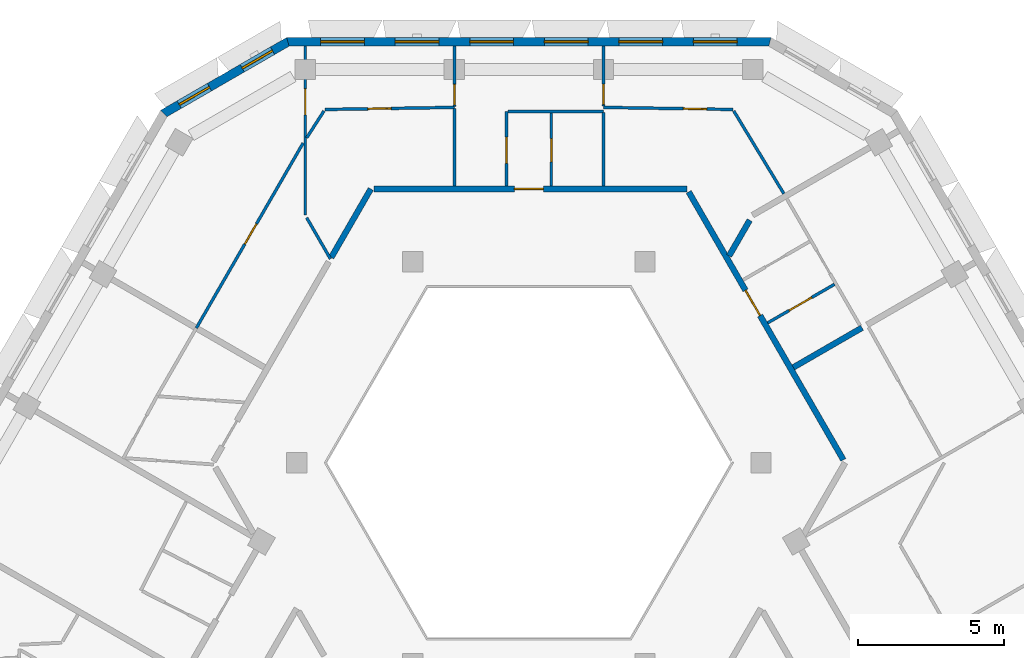
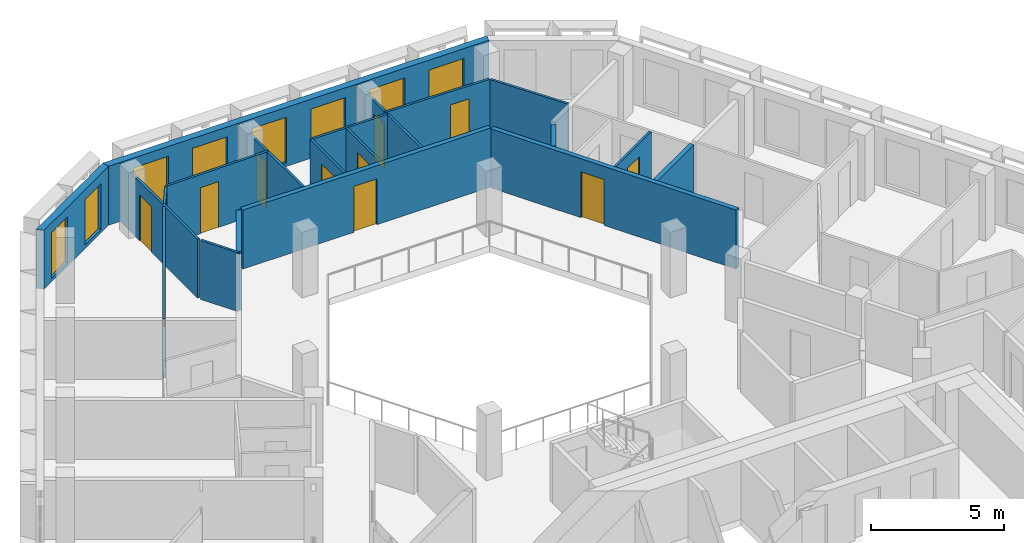
# One storey, part 8 of 16: 22 walls, 11 doors, 8 windows, 19 openings.
"""IFC4 building model written with IfcOpenShell, lengths in metres."""

from ifc_helpers import new_model, si_unit, direction, frame, frame_2d, origin, place, context, subcontext, project, spatial, polyline, rectangle, outline, extrude, material, layer, layer_set, type_object, element, fill, save


model = new_model("IFC4")

# Units and contexts
model_context = context("Model", 3, precision=1e-05, world=origin(), true_north=direction((0.0, 1.0)))
body_context = subcontext(model_context, "Body", "Model", "MODEL_VIEW")
ifc_project = project(units=[si_unit("LENGTHUNIT", "METRE"), si_unit("AREAUNIT", "SQUARE_METRE"), si_unit("VOLUMEUNIT", "CUBIC_METRE"), si_unit("PLANEANGLEUNIT", "RADIAN"), si_unit("MASSUNIT", "GRAM", prefix="KILO")], contexts=[model_context])

# Site, building, storey
site_placement = place(None, origin())
site = spatial("IfcSite", under=ifc_project, at=site_placement, CompositionType="ELEMENT")
building_placement = place(site_placement, origin())
building = spatial("IfcBuilding", under=site, at=building_placement, Name="Beryl Residences", CompositionType="ELEMENT")
storey_placement = place(building_placement, frame((0.0, 0.0, 208.800048828125)))
storey = spatial("IfcBuildingStorey", under=building, at=storey_placement, Name="L64", CompositionType="ELEMENT", Elevation=208.800048828125)

# Wall, openings, windows
ifc_material_1 = material(Name="Composite metal panel with mineral wool insulation")
ifc_layer_1 = layer(ifc_material_1, 0.300048828125)
ifc_layer_set_1 = layer_set([ifc_layer_1], Name="ES1 pale metal composite panel wall 300 mm")
wall_type_1 = type_object("IfcWallType", Name="ES1 pale metal composite panel wall 300 mm", PredefinedType="SOLIDWALL", material=ifc_layer_set_1)
wall_1_placement = place(storey_placement, frame((8.31396484375, 22.449951171875, 0.0), z_axis=(0.0, 0.0, 1.0), x_axis=(-1.0, 0.0, 0.0)))
wall_1 = element("IfcWall", 1, at=wall_1_placement, inside=storey, type_object=wall_type_1, Name="ES1 external wall L64 N", PredefinedType="SOLIDWALL", context=body_context, shape_type="SweptSolid", body=[
    extrude(outline(polyline([(0.0, -0.14990234375), (16.6279296875, -0.14990234375), (16.547607421875, 0.14990234375), (0.080322265625, 0.14990234375), (0.0, -0.14990234375)])), origin(), (0.0, 0.0, 1.0), 2.699951171875),
])
opening_1_placement = place(wall_1_placement, frame((1.1650390625, 0.0, 0.14990234375)))
opening_1 = element("IfcOpeningElement", 2, at=opening_1_placement, cuts=wall_1, Name="Opening W1", PredefinedType="OPENING", context=body_context, shape_type="SweptSolid", body=[
    extrude(rectangle(XDim=1.5, YDim=2.10009765625, at=frame_2d((0.75, 1.050048828125))), frame((0.0, 0.159912109375, 0.0), z_axis=(0.0, -1.0, 0.0), x_axis=(1.0, 0.0, 0.0)), (0.0, 0.0, 1.0), 0.320068359375),
])
opening_2_placement = place(wall_1_placement, frame((3.72412109375, 0.0, 0.14990234375)))
opening_2 = element("IfcOpeningElement", 3, at=opening_2_placement, cuts=wall_1, Name="Opening W1", PredefinedType="OPENING", context=body_context, shape_type="SweptSolid", body=[
    extrude(rectangle(XDim=1.5, YDim=2.10009765625, at=frame_2d((0.75, 1.050048828125))), frame((0.0, 0.159912109375, 0.0), z_axis=(0.0, -1.0, 0.0), x_axis=(1.0, 0.0, 0.0)), (0.0, 0.0, 1.0), 0.320068359375),
])
opening_3_placement = place(wall_1_placement, frame((6.283935546875, 0.0, 0.14990234375)))
opening_3 = element("IfcOpeningElement", 4, at=opening_3_placement, cuts=wall_1, Name="Opening W1", PredefinedType="OPENING", context=body_context, shape_type="SweptSolid", body=[
    extrude(rectangle(XDim=1.5, YDim=2.10009765625, at=frame_2d((0.75, 1.050048828125))), frame((0.0, 0.159912109375, 0.0), z_axis=(0.0, -1.0, 0.0), x_axis=(1.0, 0.0, 0.0)), (0.0, 0.0, 1.0), 0.320068359375),
])
opening_4_placement = place(wall_1_placement, frame((8.843017578125, 0.0, 0.14990234375)))
opening_4 = element("IfcOpeningElement", 5, at=opening_4_placement, cuts=wall_1, Name="Opening W1", PredefinedType="OPENING", context=body_context, shape_type="SweptSolid", body=[
    extrude(rectangle(XDim=1.5, YDim=2.10009765625, at=frame_2d((0.75, 1.050048828125))), frame((0.0, 0.159912109375, 0.0), z_axis=(0.0, -1.0, 0.0), x_axis=(1.0, 0.0, 0.0)), (0.0, 0.0, 1.0), 0.320068359375),
])
opening_5_placement = place(wall_1_placement, frame((11.403076171875, 0.0, 0.14990234375)))
opening_5 = element("IfcOpeningElement", 6, at=opening_5_placement, cuts=wall_1, Name="Opening W1", PredefinedType="OPENING", context=body_context, shape_type="SweptSolid", body=[
    extrude(rectangle(XDim=1.5, YDim=2.10009765625, at=frame_2d((0.75, 1.050048828125))), frame((0.0, 0.159912109375, 0.0), z_axis=(0.0, -1.0, 0.0), x_axis=(1.0, 0.0, 0.0)), (0.0, 0.0, 1.0), 0.320068359375),
])
opening_6_placement = place(wall_1_placement, frame((13.9619140625, 0.0, 0.14990234375)))
opening_6 = element("IfcOpeningElement", 7, at=opening_6_placement, cuts=wall_1, Name="Opening W1", PredefinedType="OPENING", context=body_context, shape_type="SweptSolid", body=[
    extrude(rectangle(XDim=1.5, YDim=2.10009765625, at=frame_2d((0.75, 1.050048828125))), frame((0.0, 0.159912109375, 0.0), z_axis=(0.0, -1.0, 0.0), x_axis=(1.0, 0.0, 0.0)), (0.0, 0.0, 1.0), 0.320068359375),
])
ifc_material_2 = material(Name="Aluminium and clear glass", Category="aluminium")
window_type_1 = type_object("IfcWindowType", Name="W1 cell window 1500 x 2100 mm", PartitioningType="SINGLE_PANEL", PredefinedType="WINDOW", material=ifc_material_2)
window_1_placement = place(opening_1_placement, origin())
window_1 = element("IfcWindow", 8, at=window_1_placement, inside=storey, type_object=window_type_1, Name="W1 window L64 N 1", OverallHeight=2.10009765625, OverallWidth=1.5, PartitioningType="SINGLE_PANEL", PredefinedType="WINDOW", context=body_context, shape_type="SweptSolid", body=[
    extrude(rectangle(XDim=1.5, YDim=2.10009765625, at=frame_2d((0.75, 1.050048828125))), frame((0.0, 0.030029296875, 0.0), z_axis=(0.0, -1.0, 0.0), x_axis=(1.0, 0.0, 0.0)), (0.0, 0.0, 1.0), 0.06005859375),
])
fill(opening_1, window_1)
window_2_placement = place(opening_2_placement, origin())
window_2 = element("IfcWindow", 9, at=window_2_placement, inside=storey, type_object=window_type_1, Name="W1 window L64 N 2", OverallHeight=2.10009765625, OverallWidth=1.5, PartitioningType="SINGLE_PANEL", PredefinedType="WINDOW", context=body_context, shape_type="SweptSolid", body=[
    extrude(rectangle(XDim=1.5, YDim=2.10009765625, at=frame_2d((0.75, 1.050048828125))), frame((0.0, 0.030029296875, 0.0), z_axis=(0.0, -1.0, 0.0), x_axis=(1.0, 0.0, 0.0)), (0.0, 0.0, 1.0), 0.06005859375),
])
fill(opening_2, window_2)
window_3_placement = place(opening_3_placement, origin())
window_3 = element("IfcWindow", 10, at=window_3_placement, inside=storey, type_object=window_type_1, Name="W1 window L64 N 3", OverallHeight=2.10009765625, OverallWidth=1.5, PartitioningType="SINGLE_PANEL", PredefinedType="WINDOW", context=body_context, shape_type="SweptSolid", body=[
    extrude(rectangle(XDim=1.5, YDim=2.10009765625, at=frame_2d((0.75, 1.050048828125))), frame((0.0, 0.030029296875, 0.0), z_axis=(0.0, -1.0, 0.0), x_axis=(1.0, 0.0, 0.0)), (0.0, 0.0, 1.0), 0.06005859375),
])
fill(opening_3, window_3)
window_4_placement = place(opening_4_placement, origin())
window_4 = element("IfcWindow", 11, at=window_4_placement, inside=storey, type_object=window_type_1, Name="W1 window L64 N 4", OverallHeight=2.10009765625, OverallWidth=1.5, PartitioningType="SINGLE_PANEL", PredefinedType="WINDOW", context=body_context, shape_type="SweptSolid", body=[
    extrude(rectangle(XDim=1.5, YDim=2.10009765625, at=frame_2d((0.75, 1.050048828125))), frame((0.0, 0.030029296875, 0.0), z_axis=(0.0, -1.0, 0.0), x_axis=(1.0, 0.0, 0.0)), (0.0, 0.0, 1.0), 0.06005859375),
])
fill(opening_4, window_4)
window_5_placement = place(opening_5_placement, origin())
window_5 = element("IfcWindow", 12, at=window_5_placement, inside=storey, type_object=window_type_1, Name="W1 window L64 N 5", OverallHeight=2.10009765625, OverallWidth=1.5, PartitioningType="SINGLE_PANEL", PredefinedType="WINDOW", context=body_context, shape_type="SweptSolid", body=[
    extrude(rectangle(XDim=1.5, YDim=2.10009765625, at=frame_2d((0.75, 1.050048828125))), frame((0.0, 0.030029296875, 0.0), z_axis=(0.0, -1.0, 0.0), x_axis=(1.0, 0.0, 0.0)), (0.0, 0.0, 1.0), 0.06005859375),
])
fill(opening_5, window_5)
window_6_placement = place(opening_6_placement, origin())
window_6 = element("IfcWindow", 13, at=window_6_placement, inside=storey, type_object=window_type_1, Name="W1 window L64 N 6", OverallHeight=2.10009765625, OverallWidth=1.5, PartitioningType="SINGLE_PANEL", PredefinedType="WINDOW", context=body_context, shape_type="SweptSolid", body=[
    extrude(rectangle(XDim=1.5, YDim=2.10009765625, at=frame_2d((0.75, 1.050048828125))), frame((0.0, 0.030029296875, 0.0), z_axis=(0.0, -1.0, 0.0), x_axis=(1.0, 0.0, 0.0)), (0.0, 0.0, 1.0), 0.06005859375),
])
fill(opening_6, window_6)

wall_2_placement = place(storey_placement, frame((-8.239013671875, 22.469970703125, 0.0), z_axis=(0.0, 0.0, 1.0), x_axis=(-0.866022959057, -0.500004234368, 0.0)))
wall_2 = element("IfcWall", 14, at=wall_2_placement, inside=storey, type_object=wall_type_1, Name="ES1 external wall L64 N-NW", PredefinedType="SOLIDWALL", context=body_context, shape_type="SweptSolid", body=[
    extrude(outline(polyline([(0.0, -0.14990234375), (5.0, -0.14990234375), (4.919677734375, 0.14990234375), (0.080322265625, 0.14990234375), (0.0, -0.14990234375)])), origin(), (0.0, 0.0, 1.0), 2.699951171875),
])
opening_7_placement = place(wall_2_placement, frame((0.64990234375, 0.0, 0.14990234375)))
opening_7 = element("IfcOpeningElement", 15, at=opening_7_placement, cuts=wall_2, Name="Opening W2", PredefinedType="OPENING", context=body_context, shape_type="SweptSolid", body=[
    extrude(rectangle(XDim=1.199951171875, YDim=2.10009765625, at=frame_2d((0.60009765625, 1.050048828125))), frame((0.0, 0.159912109375, 0.0), z_axis=(0.0, -1.0, 0.0), x_axis=(1.0, 0.0, 0.0)), (0.0, 0.0, 1.0), 0.320068359375),
])
opening_8_placement = place(wall_2_placement, frame((3.14892578125, 0.0, 0.14990234375)))
opening_8 = element("IfcOpeningElement", 16, at=opening_8_placement, cuts=wall_2, Name="Opening W2", PredefinedType="OPENING", context=body_context, shape_type="SweptSolid", body=[
    extrude(rectangle(XDim=1.199951171875, YDim=2.10009765625, at=frame_2d((0.60009765625, 1.050048828125))), frame((0.0, 0.159912109375, 0.0), z_axis=(0.0, -1.0, 0.0), x_axis=(1.0, 0.0, 0.0)), (0.0, 0.0, 1.0), 0.320068359375),
])
ifc_material_3 = material(Name="Aluminium and clear glass", Category="aluminium")
window_type_2 = type_object("IfcWindowType", Name="W2 chamfer window 1200 x 2100 mm", PartitioningType="SINGLE_PANEL", PredefinedType="WINDOW", material=ifc_material_3)
window_7_placement = place(opening_7_placement, origin())
window_7 = element("IfcWindow", 17, at=window_7_placement, inside=storey, type_object=window_type_2, Name="W2 window L64 N-NW 1", OverallHeight=2.10009765625, OverallWidth=1.199951171875, PartitioningType="SINGLE_PANEL", PredefinedType="WINDOW", context=body_context, shape_type="SweptSolid", body=[
    extrude(rectangle(XDim=1.199951171875, YDim=2.10009765625, at=frame_2d((0.60009765625, 1.050048828125))), frame((0.0, 0.030029296875, 0.0), z_axis=(0.0, -1.0, 0.0), x_axis=(1.0, 0.0, 0.0)), (0.0, 0.0, 1.0), 0.06005859375),
])
fill(opening_7, window_7)
window_8_placement = place(opening_8_placement, origin())
window_8 = element("IfcWindow", 18, at=window_8_placement, inside=storey, type_object=window_type_2, Name="W2 window L64 N-NW 2", OverallHeight=2.10009765625, OverallWidth=1.199951171875, PartitioningType="SINGLE_PANEL", PredefinedType="WINDOW", context=body_context, shape_type="SweptSolid", body=[
    extrude(rectangle(XDim=1.199951171875, YDim=2.10009765625, at=frame_2d((0.60009765625, 1.050048828125))), frame((0.0, 0.030029296875, 0.0), z_axis=(0.0, -1.0, 0.0), x_axis=(1.0, 0.0, 0.0)), (0.0, 0.0, 1.0), 0.06005859375),
])
fill(opening_8, window_8)

# Walls
ifc_material_4 = material(Name="Gypsum board partition on steel studs", Category="steel")
ifc_layer_2 = layer(ifc_material_4, 0.10009765625)
ifc_layer_set_2 = layer_set([ifc_layer_2], Name="PT1 partition 100 mm gypsum board on steel studs")
wall_type_2 = type_object("IfcWallType", Name="PT1 partition 100 mm gypsum board on steel studs", PredefinedType="PARTITIONING", material=ifc_layer_set_2)
wall_3_placement = place(storey_placement, frame((7.032958984375, 20.076904296875, 0.0), z_axis=(0.0, 0.0, 1.0), x_axis=(0.517918779664, -0.855429797044, 0.0)))
element("IfcWall", 19, at=wall_3_placement, inside=storey, type_object=wall_type_2, Name="Wall PT1 L64 003", PredefinedType="PARTITIONING", context=body_context, shape_type="SweptSolid", body=[
    extrude(rectangle(XDim=3.321044921875, YDim=0.10009765625, at=frame_2d((1.66064453125, 0.0))), origin(), (0.0, 0.0, 1.0), 2.699951171875),
])
wall_4_placement = place(storey_placement, frame((-7.6279296875, 16.412109375, 0.0), z_axis=(0.0, 0.0, 1.0), x_axis=(0.499843439945, -0.866115774908, 0.0)))
element("IfcWall", 20, at=wall_4_placement, inside=storey, type_object=wall_type_2, Name="Wall PT1 L64 005", PredefinedType="PARTITIONING", context=body_context, shape_type="SweptSolid", body=[
    extrude(rectangle(XDim=1.63037109375, YDim=0.10009765625, at=frame_2d((0.815185546875, 0.0))), origin(), (0.0, 0.0, 1.0), 2.699951171875),
])
wall_5_placement = place(storey_placement, frame((-2.55908203125, 20.169921875, 0.0), z_axis=(0.0, 0.0, 1.0), x_axis=(0.0, -1.0, 0.0)))
element("IfcWall", 21, at=wall_5_placement, inside=storey, type_object=wall_type_2, Name="Wall PT1 L64 010", PredefinedType="PARTITIONING", context=body_context, shape_type="SweptSolid", body=[
    extrude(rectangle(XDim=2.669921875, YDim=0.10009765625, at=frame_2d((1.3349609375, 0.0))), origin(), (0.0, 0.0, 1.0), 2.699951171875),
])

# Wall, opening, door
wall_6_placement = place(storey_placement, frame((2.56005859375, 22.300048828125, 0.0), z_axis=(0.0, 0.0, 1.0), x_axis=(0.0, -1.0, 0.0)))
wall_6 = element("IfcWall", 22, at=wall_6_placement, inside=storey, type_object=wall_type_2, Name="Wall PT1 L64 011", PredefinedType="PARTITIONING", context=body_context, shape_type="SweptSolid", body=[
    extrude(rectangle(XDim=2.050048828125, YDim=0.10009765625, at=frame_2d((1.02490234375, 0.0))), origin(), (0.0, 0.0, 1.0), 2.699951171875),
])
opening_9_placement = place(wall_6_placement, frame((1.300048828125, 0.0, 0.0)))
opening_9 = element("IfcOpeningElement", 23, at=opening_9_placement, cuts=wall_6, Name="Opening D1805", PredefinedType="OPENING", context=body_context, shape_type="SweptSolid", body=[
    extrude(rectangle(XDim=0.699951171875, YDim=2.10009765625, at=frame_2d((0.35009765625, 1.050048828125))), frame((0.0, 0.06005859375, 0.0), z_axis=(0.0, -1.0, 0.0), x_axis=(1.0, 0.0, 0.0)), (0.0, 0.0, 1.0), 0.1201171875),
])
ifc_material_5 = material(Name="Timber door leaf", Category="wood")
door_type_1 = type_object("IfcDoorType", Name="D14 room door 700 x 2100 mm", OperationType="SINGLE_SWING_LEFT", PredefinedType="DOOR", material=ifc_material_5)
door_1_placement = place(opening_9_placement, origin())
door_1 = element("IfcDoor", 24, at=door_1_placement, inside=storey, type_object=door_type_1, Name="Door D1805 L64 001", OperationType="SINGLE_SWING_LEFT", OverallHeight=2.10009765625, OverallWidth=0.699951171875, PredefinedType="DOOR", context=body_context, shape_type="SweptSolid", body=[
    extrude(rectangle(XDim=0.699951171875, YDim=2.10009765625, at=frame_2d((0.35009765625, 1.050048828125))), frame((0.0, 0.02490234375, 0.0), z_axis=(0.0, -1.0, 0.0), x_axis=(1.0, 0.0, 0.0)), (0.0, 0.0, 1.0), 0.050048828125),
])
fill(opening_9, door_1)

# Wall
wall_7_placement = place(storey_placement, frame((2.56005859375, 20.030029296875, 0.0), z_axis=(0.0, 0.0, 1.0), x_axis=(0.0, -1.0, 0.0)))
element("IfcWall", 25, at=wall_7_placement, inside=storey, type_object=wall_type_2, Name="Wall PT1 L64 012", PredefinedType="PARTITIONING", context=body_context, shape_type="SweptSolid", body=[
    extrude(rectangle(XDim=2.530029296875, YDim=0.10009765625, at=frame_2d((1.26513671875, 0.0))), origin(), (0.0, 0.0, 1.0), 2.699951171875),
])

# Wall, opening, door
wall_8_placement = place(storey_placement, frame((2.56005859375, 20.199951171875, 0.0), z_axis=(0.0, 0.0, 1.0), x_axis=(0.999868576801, -0.016212005615, 0.0)))
wall_8 = element("IfcWall", 26, at=wall_8_placement, inside=storey, type_object=wall_type_2, Name="Wall PT1 L64 013", PredefinedType="PARTITIONING", context=body_context, shape_type="SweptSolid", body=[
    extrude(rectangle(XDim=4.4423828125, YDim=0.10009765625, at=frame_2d((2.22119140625, 0.0))), origin(), (0.0, 0.0, 1.0), 2.699951171875),
])
opening_10_placement = place(wall_8_placement, frame((2.74609375, 0.0, 0.0)))
opening_10 = element("IfcOpeningElement", 27, at=opening_10_placement, cuts=wall_8, Name="Opening D1806", PredefinedType="OPENING", context=body_context, shape_type="SweptSolid", body=[
    extrude(rectangle(XDim=0.800048828125, YDim=2.10009765625, at=frame_2d((0.39990234375, 1.050048828125))), frame((0.0, 0.06005859375, 0.0), z_axis=(0.0, -1.0, 0.0), x_axis=(1.0, 0.0, 0.0)), (0.0, 0.0, 1.0), 0.1201171875),
])
ifc_material_6 = material(Name="Timber door leaf", Category="wood")
door_type_2 = type_object("IfcDoorType", Name="D3 bathroom door 800 x 2100 mm", OperationType="SINGLE_SWING_LEFT", PredefinedType="DOOR", material=ifc_material_6)
door_2_placement = place(opening_10_placement, origin())
door_2 = element("IfcDoor", 28, at=door_2_placement, inside=storey, type_object=door_type_2, Name="Door D1806 L64 001", OperationType="SINGLE_SWING_RIGHT", OverallHeight=2.10009765625, OverallWidth=0.800048828125, PredefinedType="DOOR", context=body_context, shape_type="SweptSolid", body=[
    extrude(rectangle(XDim=0.800048828125, YDim=2.10009765625, at=frame_2d((0.39990234375, 1.050048828125))), frame((0.0, 0.02490234375, 0.0), z_axis=(0.0, -1.0, 0.0), x_axis=(1.0, 0.0, 0.0)), (0.0, 0.0, 1.0), 0.050048828125),
])
fill(opening_10, door_2)

# Walls
wall_9_placement = place(storey_placement, frame((-0.716064453125, 20.06005859375, 0.0), z_axis=(0.0, 0.0, 1.0), x_axis=(1.0, 0.0, 0.0)))
element("IfcWall", 29, at=wall_9_placement, inside=storey, type_object=wall_type_2, Name="Wall PT1 L64 026", PredefinedType="PARTITIONING", context=body_context, shape_type="SweptSolid", body=[
    extrude(rectangle(XDim=3.276123046875, YDim=0.10009765625, at=frame_2d((1.63818359375, 0.0))), origin(), (0.0, 0.0, 1.0), 2.699951171875),
])
wall_10_placement = place(storey_placement, frame((-7.6279296875, 19.154052734375, 0.0), z_axis=(0.0, 0.0, 1.0), x_axis=(0.540600102017, 0.841279697663, 0.0)))
element("IfcWall", 30, at=wall_10_placement, inside=storey, type_object=wall_type_2, Name="Wall PT1 L64 028", PredefinedType="PARTITIONING", context=body_context, shape_type="SweptSolid", body=[
    extrude(rectangle(XDim=1.096923828125, YDim=0.10009765625, at=frame_2d((0.54833984375, 0.0))), origin(), (0.0, 0.0, 1.0), 2.699951171875),
])

# Wall, opening, door
wall_11_placement = place(storey_placement, frame((0.76806640625, 17.5, 0.0), z_axis=(0.0, 0.0, 1.0), x_axis=(0.0, 1.0, 0.0)))
wall_11 = element("IfcWall", 31, at=wall_11_placement, inside=storey, type_object=wall_type_2, Name="Wall PT1 L64 037", PredefinedType="PARTITIONING", context=body_context, shape_type="SweptSolid", body=[
    extrude(rectangle(XDim=2.510009765625, YDim=0.10009765625, at=frame_2d((1.2548828125, 0.0))), origin(), (0.0, 0.0, 1.0), 2.699951171875),
])
opening_11_placement = place(wall_11_placement, frame((0.830078125, 0.0, 0.0)))
opening_11 = element("IfcOpeningElement", 32, at=opening_11_placement, cuts=wall_11, Name="Opening D1803", PredefinedType="OPENING", context=body_context, shape_type="SweptSolid", body=[
    extrude(rectangle(XDim=0.800048828125, YDim=2.10009765625, at=frame_2d((0.39990234375, 1.050048828125))), frame((0.0, 0.06005859375, 0.0), z_axis=(0.0, -1.0, 0.0), x_axis=(1.0, 0.0, 0.0)), (0.0, 0.0, 1.0), 0.1201171875),
])
door_3_placement = place(opening_11_placement, origin())
door_3 = element("IfcDoor", 33, at=door_3_placement, inside=storey, type_object=door_type_2, Name="Door D1803 L64 001", OperationType="SINGLE_SWING_LEFT", OverallHeight=2.10009765625, OverallWidth=0.800048828125, PredefinedType="DOOR", context=body_context, shape_type="SweptSolid", body=[
    extrude(rectangle(XDim=0.800048828125, YDim=2.10009765625, at=frame_2d((0.39990234375, 1.050048828125))), frame((0.0, 0.02490234375, 0.0), z_axis=(0.0, -1.0, 0.0), x_axis=(1.0, 0.0, 0.0)), (0.0, 0.0, 1.0), 0.050048828125),
])
fill(opening_11, door_3)

wall_12_placement = place(storey_placement, frame((-7.677978515625, 16.4990234375, 0.0), z_axis=(0.0, 0.0, 1.0), x_axis=(0.0, 1.0, 0.0)))
wall_12 = element("IfcWall", 34, at=wall_12_placement, inside=storey, type_object=wall_type_2, Name="Wall PT1 L64 039", PredefinedType="PARTITIONING", context=body_context, shape_type="SweptSolid", body=[
    extrude(rectangle(XDim=5.801025390625, YDim=0.10009765625, at=frame_2d((2.900390625, 0.0))), origin(), (0.0, 0.0, 1.0), 2.699951171875),
])
opening_12_placement = place(wall_12_placement, frame((3.43994140625, 0.0, 0.0)))
opening_12 = element("IfcOpeningElement", 35, at=opening_12_placement, cuts=wall_12, Name="Opening D1808", PredefinedType="OPENING", context=body_context, shape_type="SweptSolid", body=[
    extrude(rectangle(XDim=0.89990234375, YDim=2.10009765625, at=frame_2d((0.449951171875, 1.050048828125))), frame((0.0, 0.06005859375, 0.0), z_axis=(0.0, -1.0, 0.0), x_axis=(1.0, 0.0, 0.0)), (0.0, 0.0, 1.0), 0.1201171875),
])
ifc_material_7 = material(Name="Timber door leaf", Category="wood")
door_type_3 = type_object("IfcDoorType", Name="D2 room door 900 x 2100 mm", OperationType="SINGLE_SWING_LEFT", PredefinedType="DOOR", material=ifc_material_7)
door_4_placement = place(opening_12_placement, origin())
door_4 = element("IfcDoor", 36, at=door_4_placement, inside=storey, type_object=door_type_3, Name="Door D1808 L64 001", OperationType="SINGLE_SWING_RIGHT", OverallHeight=2.10009765625, OverallWidth=0.89990234375, PredefinedType="DOOR", context=body_context, shape_type="SweptSolid", body=[
    extrude(rectangle(XDim=0.89990234375, YDim=2.10009765625, at=frame_2d((0.449951171875, 1.050048828125))), frame((0.0, 0.02490234375, 0.0), z_axis=(0.0, -1.0, 0.0), x_axis=(1.0, 0.0, 0.0)), (0.0, 0.0, 1.0), 0.050048828125),
])
fill(opening_12, door_4)

wall_13_placement = place(storey_placement, frame((-0.76708984375, 17.5, 0.0), z_axis=(0.0, 0.0, 1.0), x_axis=(0.0, 1.0, 0.0)))
wall_13 = element("IfcWall", 37, at=wall_13_placement, inside=storey, type_object=wall_type_2, Name="Wall PT1 L64 040", PredefinedType="PARTITIONING", context=body_context, shape_type="SweptSolid", body=[
    extrude(rectangle(XDim=2.55908203125, YDim=0.10009765625, at=frame_2d((1.279541015625, 0.0))), origin(), (0.0, 0.0, 1.0), 2.699951171875),
])
opening_13_placement = place(wall_13_placement, frame((0.780029296875, 0.0, 0.0)))
opening_13 = element("IfcOpeningElement", 38, at=opening_13_placement, cuts=wall_13, Name="Opening D1802", PredefinedType="OPENING", context=body_context, shape_type="SweptSolid", body=[
    extrude(rectangle(XDim=0.89990234375, YDim=2.10009765625, at=frame_2d((0.449951171875, 1.050048828125))), frame((0.0, 0.06005859375, 0.0), z_axis=(0.0, -1.0, 0.0), x_axis=(1.0, 0.0, 0.0)), (0.0, 0.0, 1.0), 0.1201171875),
])
door_5_placement = place(opening_13_placement, origin())
door_5 = element("IfcDoor", 39, at=door_5_placement, inside=storey, type_object=door_type_3, Name="Door D1802 L64 001", OperationType="SINGLE_SWING_RIGHT", OverallHeight=2.10009765625, OverallWidth=0.89990234375, PredefinedType="DOOR", context=body_context, shape_type="SweptSolid", body=[
    extrude(rectangle(XDim=0.89990234375, YDim=2.10009765625, at=frame_2d((0.449951171875, 1.050048828125))), frame((0.0, 0.02490234375, 0.0), z_axis=(0.0, -1.0, 0.0), x_axis=(1.0, 0.0, 0.0)), (0.0, 0.0, 1.0), 0.050048828125),
])
fill(opening_13, door_5)

wall_14_placement = place(storey_placement, frame((-2.55908203125, 20.22998046875, 0.0), z_axis=(0.0, 0.0, 1.0), x_axis=(0.0, 1.0, 0.0)))
wall_14 = element("IfcWall", 40, at=wall_14_placement, inside=storey, type_object=wall_type_2, Name="Wall PT1 L64 041", PredefinedType="PARTITIONING", context=body_context, shape_type="SweptSolid", body=[
    extrude(rectangle(XDim=2.070068359375, YDim=0.10009765625, at=frame_2d((1.03515625, 0.0))), origin(), (0.0, 0.0, 1.0), 2.699951171875),
])
opening_14_placement = place(wall_14_placement, frame((0.06005859375, 0.0, 0.0)))
opening_14 = element("IfcOpeningElement", 41, at=opening_14_placement, cuts=wall_14, Name="Opening D1804", PredefinedType="OPENING", context=body_context, shape_type="SweptSolid", body=[
    extrude(rectangle(XDim=0.699951171875, YDim=2.10009765625, at=frame_2d((0.35009765625, 1.050048828125))), frame((0.0, 0.06005859375, 0.0), z_axis=(0.0, -1.0, 0.0), x_axis=(1.0, 0.0, 0.0)), (0.0, 0.0, 1.0), 0.1201171875),
])
door_6_placement = place(opening_14_placement, origin())
door_6 = element("IfcDoor", 42, at=door_6_placement, inside=storey, type_object=door_type_1, Name="Door D1804 L64 001", OperationType="SINGLE_SWING_RIGHT", OverallHeight=2.10009765625, OverallWidth=0.699951171875, PredefinedType="DOOR", context=body_context, shape_type="SweptSolid", body=[
    extrude(rectangle(XDim=0.699951171875, YDim=2.10009765625, at=frame_2d((0.35009765625, 1.050048828125))), frame((0.0, 0.02490234375, 0.0), z_axis=(0.0, -1.0, 0.0), x_axis=(1.0, 0.0, 0.0)), (0.0, 0.0, 1.0), 0.050048828125),
])
fill(opening_14, door_6)

wall_15_placement = place(storey_placement, frame((-7.001953125, 20.1279296875, 0.0), z_axis=(0.0, 0.0, 1.0), x_axis=(0.999868634558, 0.016208443081, 0.0)))
wall_15 = element("IfcWall", 43, at=wall_15_placement, inside=storey, type_object=wall_type_2, Name="Wall PT1 L64 042", PredefinedType="PARTITIONING", context=body_context, shape_type="SweptSolid", body=[
    extrude(rectangle(XDim=4.443359375, YDim=0.10009765625, at=frame_2d((2.2216796875, 0.0))), origin(), (0.0, 0.0, 1.0), 2.699951171875),
])
opening_15_placement = place(wall_15_placement, frame((1.47509765625, 0.0, 0.0)))
opening_15 = element("IfcOpeningElement", 44, at=opening_15_placement, cuts=wall_15, Name="Opening D1807", PredefinedType="OPENING", context=body_context, shape_type="SweptSolid", body=[
    extrude(rectangle(XDim=0.800048828125, YDim=2.10009765625, at=frame_2d((0.39990234375, 1.050048828125))), frame((0.0, 0.06005859375, 0.0), z_axis=(0.0, -1.0, 0.0), x_axis=(1.0, 0.0, 0.0)), (0.0, 0.0, 1.0), 0.1201171875),
])
door_7_placement = place(opening_15_placement, origin())
door_7 = element("IfcDoor", 45, at=door_7_placement, inside=storey, type_object=door_type_2, Name="Door D1807 L64 001", OperationType="SINGLE_SWING_LEFT", OverallHeight=2.10009765625, OverallWidth=0.800048828125, PredefinedType="DOOR", context=body_context, shape_type="SweptSolid", body=[
    extrude(rectangle(XDim=0.800048828125, YDim=2.10009765625, at=frame_2d((0.39990234375, 1.050048828125))), frame((0.0, 0.02490234375, 0.0), z_axis=(0.0, -1.0, 0.0), x_axis=(1.0, 0.0, 0.0)), (0.0, 0.0, 1.0), 0.050048828125),
])
fill(opening_15, door_7)

wall_16_placement = place(storey_placement, frame((8.197021484375, 12.802001953125, 0.0), z_axis=(0.0, 0.0, 1.0), x_axis=(0.866029095148, 0.499993606316, 0.0)))
wall_16 = element("IfcWall", 46, at=wall_16_placement, inside=storey, type_object=wall_type_2, Name="Wall PT1 L64 049", PredefinedType="PARTITIONING", context=body_context, shape_type="SweptSolid", body=[
    extrude(rectangle(XDim=2.64990234375, YDim=0.10009765625, at=frame_2d((1.324951171875, 0.0))), origin(), (0.0, 0.0, 1.0), 2.699951171875),
])
opening_16_placement = place(wall_16_placement, frame((0.85009765625, 0.0, 0.0)))
opening_16 = element("IfcOpeningElement", 47, at=opening_16_placement, cuts=wall_16, Name="Opening D1840", PredefinedType="OPENING", context=body_context, shape_type="SweptSolid", body=[
    extrude(rectangle(XDim=0.89990234375, YDim=2.10009765625, at=frame_2d((0.449951171875, 1.050048828125))), frame((0.0, 0.06005859375, 0.0), z_axis=(0.0, -1.0, 0.0), x_axis=(1.0, 0.0, 0.0)), (0.0, 0.0, 1.0), 0.1201171875),
])
door_8_placement = place(opening_16_placement, origin())
door_8 = element("IfcDoor", 48, at=door_8_placement, inside=storey, type_object=door_type_3, Name="Door D1840 L64 001", OperationType="SINGLE_SWING_RIGHT", OverallHeight=2.10009765625, OverallWidth=0.89990234375, PredefinedType="DOOR", context=body_context, shape_type="SweptSolid", body=[
    extrude(rectangle(XDim=0.89990234375, YDim=2.10009765625, at=frame_2d((0.449951171875, 1.050048828125))), frame((0.0, 0.02490234375, 0.0), z_axis=(0.0, -1.0, 0.0), x_axis=(1.0, 0.0, 0.0)), (0.0, 0.0, 1.0), 0.050048828125),
])
fill(opening_16, door_8)

wall_17_placement = place(storey_placement, frame((-11.4169921875, 12.625, 0.0), z_axis=(0.0, 0.0, 1.0), x_axis=(0.500007885066, 0.866020851292, 0.0)))
wall_17 = element("IfcWall", 49, at=wall_17_placement, inside=storey, type_object=wall_type_2, Name="Wall PT1 L64 052", PredefinedType="PARTITIONING", context=body_context, shape_type="SweptSolid", body=[
    extrude(rectangle(XDim=7.330078125, YDim=0.10009765625, at=frame_2d((3.6650390625, 0.0))), origin(), (0.0, 0.0, 1.0), 2.699951171875),
])
opening_17_placement = place(wall_17_placement, frame((3.327880859375, 0.0, 0.0)))
opening_17 = element("IfcOpeningElement", 50, at=opening_17_placement, cuts=wall_17, Name="Opening D1809", PredefinedType="OPENING", context=body_context, shape_type="SweptSolid", body=[
    extrude(rectangle(XDim=0.800048828125, YDim=2.10009765625, at=frame_2d((0.39990234375, 1.050048828125))), frame((0.0, 0.06005859375, 0.0), z_axis=(0.0, -1.0, 0.0), x_axis=(1.0, 0.0, 0.0)), (0.0, 0.0, 1.0), 0.1201171875),
])
door_9_placement = place(opening_17_placement, origin())
door_9 = element("IfcDoor", 51, at=door_9_placement, inside=storey, type_object=door_type_2, Name="Door D1809 L64 001", OperationType="SINGLE_SWING_LEFT", OverallHeight=2.10009765625, OverallWidth=0.800048828125, PredefinedType="DOOR", context=body_context, shape_type="SweptSolid", body=[
    extrude(rectangle(XDim=0.800048828125, YDim=2.10009765625, at=frame_2d((0.39990234375, 1.050048828125))), frame((0.0, 0.02490234375, 0.0), z_axis=(0.0, -1.0, 0.0), x_axis=(1.0, 0.0, 0.0)), (0.0, 0.0, 1.0), 0.050048828125),
])
fill(opening_17, door_9)

# Walls
ifc_material_8 = material(Name="Acoustic double stud gypsum board wall")
ifc_layer_3 = layer(ifc_material_8, 0.199951171875)
ifc_layer_set_3 = layer_set([ifc_layer_3], Name="PT3 party wall 200 mm acoustic double stud")
wall_type_3 = type_object("IfcWallType", Name="PT3 party wall 200 mm acoustic double stud", PredefinedType="PARTITIONING", material=ifc_layer_set_3)
wall_18_placement = place(storey_placement, frame((6.87109375, 15.10009765625, 0.0), z_axis=(0.0, 0.0, 1.0), x_axis=(0.50006528296, 0.865987709369, 0.0)))
element("IfcWall", 52, at=wall_18_placement, inside=storey, type_object=wall_type_3, Name="Wall PT3 L64 009", PredefinedType="PARTITIONING", context=body_context, shape_type="SweptSolid", body=[
    extrude(rectangle(XDim=1.417724609375, YDim=0.199951171875, at=frame_2d((0.708984375, 0.0))), origin(), (0.0, 0.0, 1.0), 2.699951171875),
])
wall_19_placement = place(storey_placement, frame((9.0791015625, 11.27490234375, 0.0), z_axis=(0.0, 0.0, 1.0), x_axis=(0.865952340496, 0.500126527981, 0.0)))
element("IfcWall", 53, at=wall_19_placement, inside=storey, type_object=wall_type_3, Name="Wall PT3 L64 010", PredefinedType="PARTITIONING", context=body_context, shape_type="SweptSolid", body=[
    extrude(rectangle(XDim=2.719482421875, YDim=0.199951171875, at=frame_2d((1.35986328125, 0.0))), origin(), (0.0, 0.0, 1.0), 2.699951171875),
])

# Wall, opening, door
ifc_material_9 = material(Name="Double stud gypsum board wall")
ifc_layer_4 = layer(ifc_material_9, 0.199951171875)
ifc_layer_set_4 = layer_set([ifc_layer_4], Name="PT4 corridor wall 200 mm double stud")
wall_type_4 = type_object("IfcWallType", Name="PT4 corridor wall 200 mm double stud", PredefinedType="PARTITIONING", material=ifc_layer_set_4)
wall_20_placement = place(storey_placement, frame((5.485107421875, 17.300048828125, 0.0), z_axis=(0.0, 0.0, 1.0), x_axis=(0.499943285704, -0.866058145322, 0.0)))
wall_20 = element("IfcWall", 54, at=wall_20_placement, inside=storey, type_object=wall_type_4, Name="Wall PT4 L64 007", PredefinedType="PARTITIONING", context=body_context, shape_type="SweptSolid", body=[
    extrude(rectangle(XDim=10.622802734375, YDim=0.199951171875, at=frame_2d((5.3115234375, 0.0))), origin(), (0.0, 0.0, 1.0), 2.699951171875),
])
opening_18_placement = place(wall_20_placement, frame((3.90087890625, 0.0, 0.0)))
opening_18 = element("IfcOpeningElement", 55, at=opening_18_placement, cuts=wall_20, Name="Opening D1838", PredefinedType="OPENING", context=body_context, shape_type="SweptSolid", body=[
    extrude(rectangle(XDim=1.0, YDim=2.10009765625, at=frame_2d((0.5, 1.050048828125))), frame((0.0, 0.10986328125, 0.0), z_axis=(0.0, -1.0, 0.0), x_axis=(1.0, 0.0, 0.0)), (0.0, 0.0, 1.0), 0.219970703125),
])
ifc_material_10 = material(Name="Timber door leaf", Category="wood")
door_type_4 = type_object("IfcDoorType", Name="D1 flat entrance door 1000 x 2100 mm", OperationType="SINGLE_SWING_LEFT", PredefinedType="DOOR", material=ifc_material_10)
door_10_placement = place(opening_18_placement, origin())
door_10 = element("IfcDoor", 56, at=door_10_placement, inside=storey, type_object=door_type_4, Name="Door D1838 L64 001", OperationType="SINGLE_SWING_RIGHT", OverallHeight=2.10009765625, OverallWidth=1.0, PredefinedType="DOOR", context=body_context, shape_type="SweptSolid", body=[
    extrude(rectangle(XDim=1.0, YDim=2.10009765625, at=frame_2d((0.5, 1.050048828125))), frame((0.0, 0.02490234375, 0.0), z_axis=(0.0, -1.0, 0.0), x_axis=(1.0, 0.0, 0.0)), (0.0, 0.0, 1.0), 0.050048828125),
])
fill(opening_18, door_10)

wall_21_placement = place(storey_placement, frame((-5.31103515625, 17.39990234375, 0.0), z_axis=(0.0, 0.0, 1.0), x_axis=(1.0, 0.0, 0.0)))
wall_21 = element("IfcWall", 57, at=wall_21_placement, inside=storey, type_object=wall_type_4, Name="Wall PT4 L64 019", PredefinedType="PARTITIONING", context=body_context, shape_type="SweptSolid", body=[
    extrude(rectangle(XDim=10.737060546875, YDim=0.199951171875, at=frame_2d((5.36865234375, 0.0))), origin(), (0.0, 0.0, 1.0), 2.699951171875),
])
opening_19_placement = place(wall_21_placement, frame((4.81201171875, 0.0, 0.0)))
opening_19 = element("IfcOpeningElement", 58, at=opening_19_placement, cuts=wall_21, Name="Opening D1801", PredefinedType="OPENING", context=body_context, shape_type="SweptSolid", body=[
    extrude(rectangle(XDim=1.0, YDim=2.10009765625, at=frame_2d((0.5, 1.050048828125))), frame((0.0, 0.10986328125, 0.0), z_axis=(0.0, -1.0, 0.0), x_axis=(1.0, 0.0, 0.0)), (0.0, 0.0, 1.0), 0.219970703125),
])
door_11_placement = place(opening_19_placement, origin())
door_11 = element("IfcDoor", 59, at=door_11_placement, inside=storey, type_object=door_type_4, Name="Door D1801 L64 001", OperationType="SINGLE_SWING_LEFT", OverallHeight=2.10009765625, OverallWidth=1.0, PredefinedType="DOOR", context=body_context, shape_type="SweptSolid", body=[
    extrude(rectangle(XDim=1.0, YDim=2.10009765625, at=frame_2d((0.5, 1.050048828125))), frame((0.0, 0.02490234375, 0.0), z_axis=(0.0, -1.0, 0.0), x_axis=(1.0, 0.0, 0.0)), (0.0, 0.0, 1.0), 0.050048828125),
])
fill(opening_19, door_11)

# Wall
wall_22_placement = place(storey_placement, frame((-6.783935546875, 15.050048828125, 0.0), z_axis=(0.0, 0.0, 1.0), x_axis=(0.500067724834, 0.865986299303, 0.0)))
element("IfcWall", 60, at=wall_22_placement, inside=storey, type_object=wall_type_4, Name="Wall PT4 L64 028", PredefinedType="PARTITIONING", context=body_context, shape_type="SweptSolid", body=[
    extrude(rectangle(XDim=2.71337890625, YDim=0.199951171875, at=frame_2d((1.356689453125, 0.0))), origin(), (0.0, 0.0, 1.0), 2.699951171875),
])

save(model, "model.ifc")
